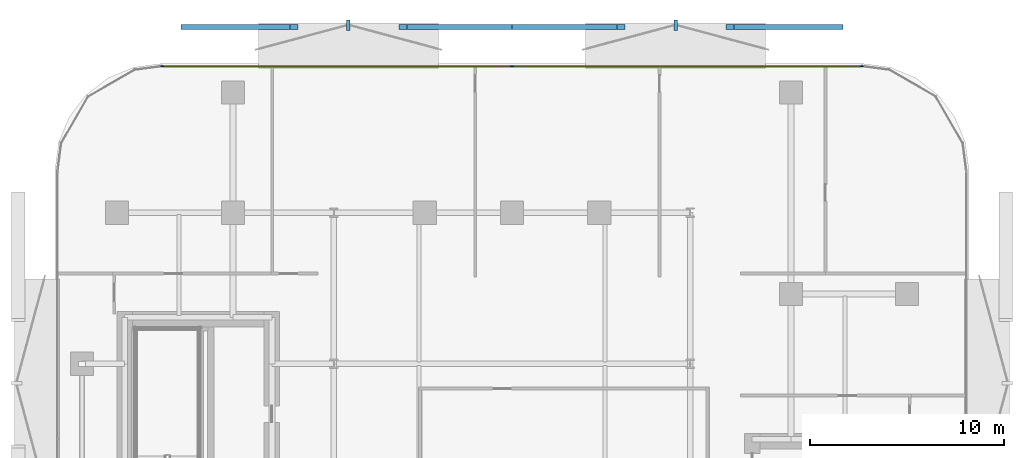
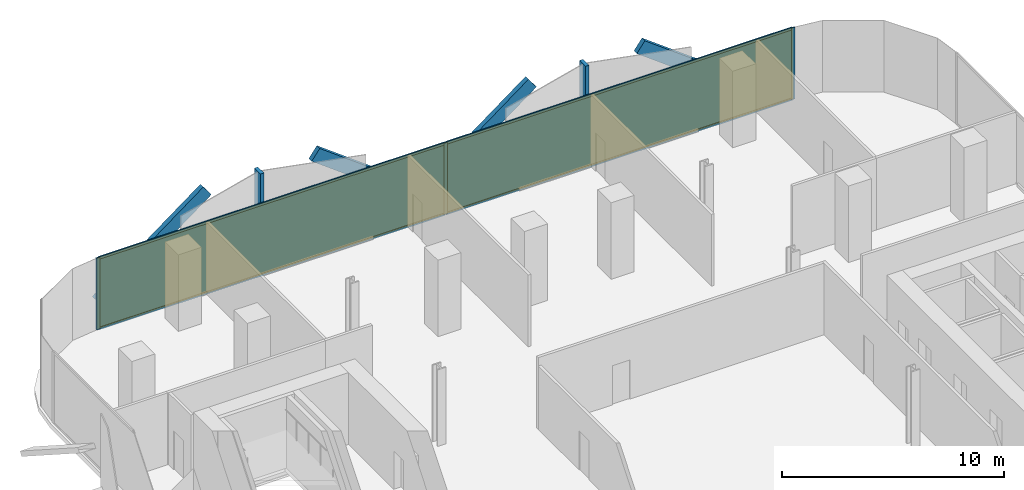
# One storey, part 10 of 15: 13 members, 2 plates, 1 curtain wall.
"""IFC4 building model written with IfcOpenShell, lengths in metres."""

from ifc_helpers import new_model, si_unit, direction, frame, frame_2d, origin, origin_2d, place, context, subcontext, project, spatial, rectangle, extrude, material, layer, layer_set, material_profile, profile_set, type_object, element, aggregate, save


model = new_model("IFC4")

# Units and contexts
model_context = context("Model", 3, precision=1e-05, world=origin(), true_north=direction((0.0, 1.0)))
body_context = subcontext(model_context, "Body", "Model", "MODEL_VIEW")
ifc_project = project(units=[si_unit("LENGTHUNIT", "METRE"), si_unit("AREAUNIT", "SQUARE_METRE"), si_unit("VOLUMEUNIT", "CUBIC_METRE"), si_unit("PLANEANGLEUNIT", "RADIAN"), si_unit("MASSUNIT", "GRAM", prefix="KILO")], contexts=[model_context])

# Member
ifc_material_1 = material(Name="Anodised Bronze Aluminium 6063-T6", Category="aluminium")
ifc_material_profile_1 = material_profile(ifc_material_1, rectangle(XDim=0.260009765625, YDim=0.699951171875, at=origin_2d()))
ifc_profile_set_1 = profile_set([ifc_material_profile_1], Name="Anodised Bronze Aluminium 6063-T6")
member_type_1 = type_object("IfcMemberType", Name="Bronze Diamond Solar-Screen Lattice Rib BDL-700", PredefinedType="MULLION", material=ifc_profile_set_1)
site_placement = place(None, origin())
building_placement = place(site_placement, origin())
storey_placement = place(building_placement, frame((0.0, 0.0, 118.39990234375)))
member_1_placement = place(storey_placement, frame((-16.890869140625, 28.199951171875, -0.1298828125), z_axis=(0.801557173533, 0.0, 0.597918136167), x_axis=(0.0, 1.0, 0.0)))
member_1 = element("IfcMember", 1, at=member_1_placement, type_object=member_type_1, Name="L27 Bronze Diamond Solar Screen Lattice Rib 165A", PredefinedType="MULLION", context=body_context, shape_type="SweptSolid", body=[
    extrude(rectangle(XDim=0.260009765625, YDim=0.699951171875, at=origin_2d()), origin(), (0.0, 0.0, 1.0), 7.024169921875),
])

member_2_placement = place(storey_placement, frame((0.0, 28.199951171875, -0.1298828125), z_axis=(-0.801557173533, 0.0, 0.597918136167), x_axis=(0.0, -1.0, 0.0)))
member_2 = element("IfcMember", 2, at=member_2_placement, type_object=member_type_1, Name="L27 Bronze Diamond Solar Screen Lattice Rib 165B", PredefinedType="MULLION", context=body_context, shape_type="SweptSolid", body=[
    extrude(rectangle(XDim=0.260009765625, YDim=0.699951171875, at=origin_2d()), origin(), (0.0, 0.0, 1.0), 7.024169921875),
])

member_3_placement = place(storey_placement, frame((0.0, 28.199951171875, -0.1298828125), z_axis=(0.801557173533, 0.0, 0.597918136167), x_axis=(0.0, 1.0, 0.0)))
member_3 = element("IfcMember", 3, at=member_3_placement, type_object=member_type_1, Name="L27 Bronze Diamond Solar Screen Lattice Rib 166A", PredefinedType="MULLION", context=body_context, shape_type="SweptSolid", body=[
    extrude(rectangle(XDim=0.260009765625, YDim=0.699951171875, at=origin_2d()), origin(), (0.0, 0.0, 1.0), 7.024169921875),
])

member_4_placement = place(storey_placement, frame((16.890869140625, 28.199951171875, -0.1298828125), z_axis=(-0.801557173533, 0.0, 0.597918136167), x_axis=(0.0, -1.0, 0.0)))
member_4 = element("IfcMember", 4, at=member_4_placement, type_object=member_type_1, Name="L27 Bronze Diamond Solar Screen Lattice Rib 166B", PredefinedType="MULLION", context=body_context, shape_type="SweptSolid", body=[
    extrude(rectangle(XDim=0.260009765625, YDim=0.699951171875, at=origin_2d()), origin(), (0.0, 0.0, 1.0), 7.024169921875),
])

ifc_material_2 = material(Name="Anodised Bronze Aluminium 6063-T6", Category="aluminium")
ifc_material_profile_2 = material_profile(ifc_material_2, rectangle(XDim=0.179931640625, YDim=0.5400390625, at=origin_2d()))
ifc_profile_set_2 = profile_set([ifc_material_profile_2], Name="Anodised Bronze Aluminium 6063-T6")
member_type_2 = type_object("IfcMemberType", Name="Bronze Solar-Screen Vertical Fold Fin BSF-540", PredefinedType="MULLION", material=ifc_profile_set_2)
member_5_placement = place(storey_placement, frame((-8.4453125, 28.280029296875, -0.1298828125), z_axis=(0.0, 0.0, 1.0), x_axis=(1.0, 0.0, 0.0)))
member_5 = element("IfcMember", 5, at=member_5_placement, type_object=member_type_2, Name="L27 Bronze Solar Screen Vertical Fin 165", PredefinedType="MULLION", context=body_context, shape_type="SweptSolid", body=[
    extrude(rectangle(XDim=0.179931640625, YDim=0.5400390625, at=origin_2d()), origin(), (0.0, 0.0, 1.0), 4.199951171875),
])

member_6_placement = place(storey_placement, frame((8.4453125, 28.280029296875, -0.1298828125), z_axis=(0.0, 0.0, 1.0), x_axis=(1.0, 0.0, 0.0)))
member_6 = element("IfcMember", 6, at=member_6_placement, type_object=member_type_2, Name="L27 Bronze Solar Screen Vertical Fin 166", PredefinedType="MULLION", context=body_context, shape_type="SweptSolid", body=[
    extrude(rectangle(XDim=0.179931640625, YDim=0.5400390625, at=origin_2d()), origin(), (0.0, 0.0, 1.0), 4.199951171875),
])

ifc_material_3 = material(Name="Anodised Bronze Aluminium 6063-T6", Category="aluminium")
ifc_material_profile_3 = material_profile(ifc_material_3, rectangle(XDim=0.06494140625, YDim=0.175048828125, at=origin_2d()))
ifc_profile_set_3 = profile_set([ifc_material_profile_3], Name="Anodised Bronze Aluminium 6063-T6")
member_type_3 = type_object("IfcMemberType", Name="CW-Z2 Mullion 65x175", PredefinedType="MULLION", material=ifc_profile_set_3)
member_7_placement = place(storey_placement, frame((-18.058349609375, 26.159912109375, 0.0), z_axis=(0.0, 0.0, 1.0), x_axis=(0.0, 1.0, 0.0)))
member_7 = element("IfcMember", 7, at=member_7_placement, type_object=member_type_3, Name="CW-Z2 mullion 1", PredefinedType="MULLION", context=body_context, shape_type="SweptSolid", body=[
    extrude(rectangle(XDim=0.06494140625, YDim=0.175048828125, at=origin_2d()), origin(), (0.0, 0.0, 1.0), 3.940185546875),
])

member_8_placement = place(storey_placement, frame((0.0, 26.159912109375, 0.0), z_axis=(0.0, 0.0, 1.0), x_axis=(0.0, 1.0, 0.0)))
member_8 = element("IfcMember", 8, at=member_8_placement, type_object=member_type_3, Name="CW-Z2 mullion 2", PredefinedType="MULLION", context=body_context, shape_type="SweptSolid", body=[
    extrude(rectangle(XDim=0.06494140625, YDim=0.175048828125, at=origin_2d()), origin(), (0.0, 0.0, 1.0), 3.940185546875),
])

member_9_placement = place(storey_placement, frame((18.058349609375, 26.159912109375, 0.0), z_axis=(0.0, 0.0, 1.0), x_axis=(0.0, 1.0, 0.0)))
member_9 = element("IfcMember", 9, at=member_9_placement, type_object=member_type_3, Name="CW-Z2 mullion 3", PredefinedType="MULLION", context=body_context, shape_type="SweptSolid", body=[
    extrude(rectangle(XDim=0.06494140625, YDim=0.175048828125, at=origin_2d()), origin(), (0.0, 0.0, 1.0), 3.940185546875),
])

ifc_material_4 = material(Name="Anodised Bronze Aluminium 6063-T6", Category="aluminium")
ifc_material_profile_4 = material_profile(ifc_material_4, rectangle(XDim=0.06494140625, YDim=0.135009765625, at=origin_2d()))
ifc_profile_set_4 = profile_set([ifc_material_profile_4], Name="Anodised Bronze Aluminium 6063-T6")
member_type_4 = type_object("IfcMemberType", Name="CW-Z2 Transom 65x135", PredefinedType="USERDEFINED", material=ifc_profile_set_4)
member_10_placement = place(storey_placement, frame((-18.02587890625, 26.159912109375, 0.03271484375), z_axis=(1.0, 0.0, 0.0), x_axis=(0.0, 1.0, 0.0)))
member_10 = element("IfcMember", 10, at=member_10_placement, type_object=member_type_4, Name="CW-Z2 transom 1.1", ObjectType="TRANSOM", PredefinedType="USERDEFINED", context=body_context, shape_type="SweptSolid", body=[
    extrude(rectangle(XDim=0.06494140625, YDim=0.135009765625, at=origin_2d()), origin(), (0.0, 0.0, 1.0), 17.993408203125),
])

member_11_placement = place(storey_placement, frame((-18.02587890625, 26.159912109375, 3.90771484375), z_axis=(1.0, 0.0, 0.0), x_axis=(0.0, 1.0, 0.0)))
member_11 = element("IfcMember", 11, at=member_11_placement, type_object=member_type_4, Name="CW-Z2 transom 1.2", ObjectType="TRANSOM", PredefinedType="USERDEFINED", context=body_context, shape_type="SweptSolid", body=[
    extrude(rectangle(XDim=0.06494140625, YDim=0.135009765625, at=origin_2d()), origin(), (0.0, 0.0, 1.0), 17.993408203125),
])

member_12_placement = place(storey_placement, frame((0.032470703125, 26.159912109375, 0.03271484375), z_axis=(1.0, 0.0, 0.0), x_axis=(0.0, 1.0, 0.0)))
member_12 = element("IfcMember", 12, at=member_12_placement, type_object=member_type_4, Name="CW-Z2 transom 2.1", ObjectType="TRANSOM", PredefinedType="USERDEFINED", context=body_context, shape_type="SweptSolid", body=[
    extrude(rectangle(XDim=0.06494140625, YDim=0.135009765625, at=origin_2d()), origin(), (0.0, 0.0, 1.0), 17.993408203125),
])

member_13_placement = place(storey_placement, frame((0.032470703125, 26.159912109375, 3.90771484375), z_axis=(1.0, 0.0, 0.0), x_axis=(0.0, 1.0, 0.0)))
member_13 = element("IfcMember", 13, at=member_13_placement, type_object=member_type_4, Name="CW-Z2 transom 2.2", ObjectType="TRANSOM", PredefinedType="USERDEFINED", context=body_context, shape_type="SweptSolid", body=[
    extrude(rectangle(XDim=0.06494140625, YDim=0.135009765625, at=origin_2d()), origin(), (0.0, 0.0, 1.0), 17.993408203125),
])

# Plate
ifc_material_5 = material(Name="Low-E Solar Control Laminated Glass", Category="glass")
ifc_layer_1 = layer(ifc_material_5, 0.028076171875, Name="Low-E Solar Control Laminated Glass")
ifc_layer_set_1 = layer_set([ifc_layer_1], Name="Low-E Solar Control Laminated Glass")
plate_type = type_object("IfcPlateType", Name="CW-Z2 Low-E Double Glazed Panel 28mm", PredefinedType="CURTAIN_PANEL", material=ifc_layer_set_1)
plate_1_placement = place(storey_placement, frame((-9.029052734375, 26.159912109375, 0.065185546875), z_axis=(0.0, 0.0, 1.0), x_axis=(1.0, 0.0, 0.0)))
plate_1 = element("IfcPlate", 14, at=plate_1_placement, type_object=plate_type, Name="CW-Z2 panel 1.1", PredefinedType="CURTAIN_PANEL", context=body_context, shape_type="SweptSolid", body=[
    extrude(rectangle(XDim=17.993408203125, YDim=0.028076171875, at=origin_2d()), origin(), (0.0, 0.0, 1.0), 3.81005859375),
])

plate_2_placement = place(storey_placement, frame((9.029052734375, 26.159912109375, 0.065185546875), z_axis=(0.0, 0.0, 1.0), x_axis=(1.0, 0.0, 0.0)))
plate_2 = element("IfcPlate", 15, at=plate_2_placement, type_object=plate_type, Name="CW-Z2 panel 2.1", PredefinedType="CURTAIN_PANEL", context=body_context, shape_type="SweptSolid", body=[
    extrude(rectangle(XDim=17.993408203125, YDim=0.028076171875, at=origin_2d()), origin(), (0.0, 0.0, 1.0), 3.81005859375),
])

# Site, building, storey
site = spatial("IfcSite", under=ifc_project, at=site_placement, CompositionType="ELEMENT")
building = spatial("IfcBuilding", under=site, at=building_placement, Name="Khairoan Windgate Tower", CompositionType="ELEMENT")
storey = spatial("IfcBuildingStorey", under=building, at=storey_placement, Name="L27", CompositionType="ELEMENT", Elevation=118.39990234375)

# Curtain wall
ifc_material_6 = material(Name="Anodised Bronze Aluminium 6063-T6", Category="aluminium")
ifc_layer_2 = layer(ifc_material_6, 0.175048828125, Name="Anodised Bronze Aluminium 6063-T6")
ifc_layer_set_2 = layer_set([ifc_layer_2], Name="Anodised Bronze Aluminium 6063-T6")
curtain_wall_type = type_object("IfcCurtainWallType", Name="Mid-Rise Office Unitised Curtain Wall CW-Z2", PredefinedType="NOTDEFINED", material=ifc_layer_set_2)
curtain_wall_placement = place(storey_placement, frame((-18.0908203125, 26.159912109375, 0.0), z_axis=(0.0, 0.0, 1.0), x_axis=(1.0, 0.0, 0.0)))
curtain_wall = element("IfcCurtainWall", 16, at=curtain_wall_placement, inside=storey, type_object=curtain_wall_type, Name="L27 Unitised Curtain Wall 11", PredefinedType="NOTDEFINED", context=body_context, shape_type="SweptSolid", body=[
    extrude(rectangle(XDim=36.181640625, YDim=0.010009765625, at=frame_2d((18.0908203125, 0.0))), origin(), (0.0, 0.0, 1.0), 3.940185546875),
])

aggregate(curtain_wall, [member_7, member_8, member_9, member_10, member_11, plate_1, member_12, member_13, plate_2, member_1, member_2, member_5, member_3, member_4, member_6])

save(model, "model.ifc")
